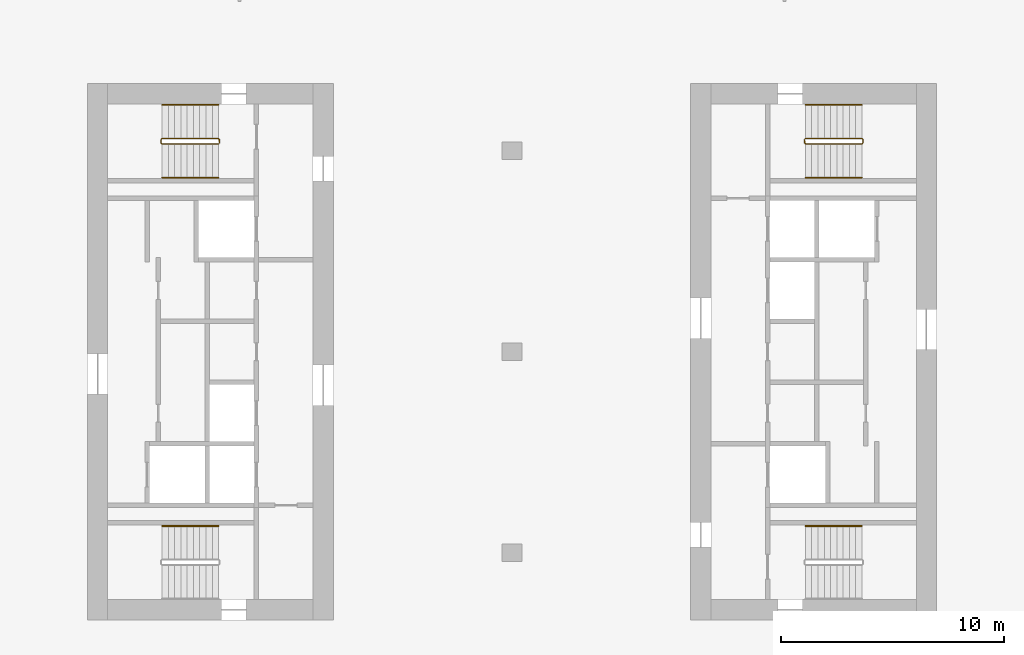
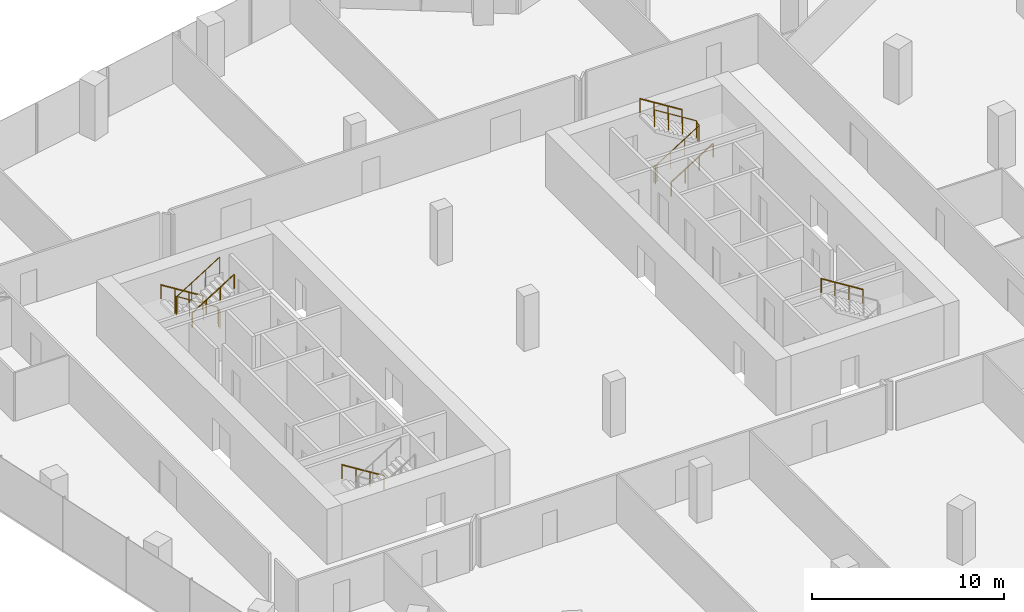
# One storey, part 24 of 24: 8 railings.
"""IFC4 building model written with IfcOpenShell, lengths in metres."""

from ifc_helpers import new_model, si_unit, direction, frame, origin, origin_2d, place, context, subcontext, project, spatial, circle, extrude, material, type_object, element, save


model = new_model("IFC4")

# Units and contexts
model_context = context("Model", 3, precision=1e-05, world=origin(), true_north=direction((0.0, 1.0)))
body_context = subcontext(model_context, "Body", "Model", "MODEL_VIEW")
ifc_project = project(units=[si_unit("LENGTHUNIT", "METRE"), si_unit("AREAUNIT", "SQUARE_METRE"), si_unit("VOLUMEUNIT", "CUBIC_METRE"), si_unit("PLANEANGLEUNIT", "RADIAN"), si_unit("MASSUNIT", "GRAM", prefix="KILO")], contexts=[model_context])

# Site, building, storey
site_placement = place(None, origin())
site = spatial("IfcSite", under=ifc_project, at=site_placement, CompositionType="ELEMENT")
building_placement = place(site_placement, origin())
building = spatial("IfcBuilding", under=site, at=building_placement, Name="Orlundy Tower", CompositionType="ELEMENT")
storey_placement = place(building_placement, frame((0.0, 0.0, 239.0)))
storey = spatial("IfcBuildingStorey", under=building, at=storey_placement, Name="L63", CompositionType="ELEMENT", Elevation=239.0)

# Railings
ifc_material_1 = material(Name="Steel balustrade", Category="steel")
railing_type_1 = type_object("IfcRailingType", Name="Stair Guard 1100", PredefinedType="GUARDRAIL", material=ifc_material_1)
railing_1_placement = place(storey_placement, frame((-13.090087890625, 9.5, 0.0)))
element("IfcRailing", 1, at=railing_1_placement, inside=storey, type_object=railing_type_1, Name="L63 ST-W1 stair guard 1", PredefinedType="GUARDRAIL", context=body_context, shape_type="SweptSolid", body=[
    extrude(circle(Radius=0.02392578125, at=origin_2d()), frame((0.0, 0.0, 1.076171875), z_axis=(0.0, -1.0, 0.0), x_axis=(1.0, 0.0, 0.0)), (0.0, 0.0, 1.0), 0.14990234375),
    extrude(circle(Radius=0.02392578125, at=origin_2d()), frame((0.0, -0.14990234375, 1.076171875), z_axis=(-0.18420542264, 0.739530593833, 0.647427882513), x_axis=(-0.970351222016, -0.241699205484, 0.0)), (0.0, 0.0, 1.0), 0.270263671875),
    extrude(circle(Radius=0.02392578125, at=origin_2d()), frame((-0.0498046875, 0.050048828125, 1.2509765625), z_axis=(-0.848007534815, 0.0, 0.529984170421), x_axis=(0.0, -1.0, 0.0)), (0.0, 0.0, 1.0), 2.9716796875),
    extrude(circle(Radius=0.02392578125, at=origin_2d()), frame((-2.56982421875, 0.050048828125, 2.826171875), z_axis=(-0.707106781187, -0.707106781187, 0.0), x_axis=(0.707106781187, -0.707106781187, 0.0)), (0.0, 0.0, 1.0), 0.07080078125),
    extrude(circle(Radius=0.02392578125, at=origin_2d()), frame((-2.619873046875, 0.0, 2.826171875), z_axis=(0.0, -1.0, 0.0), x_axis=(1.0, 0.0, 0.0)), (0.0, 0.0, 1.0), 0.14990234375),
    extrude(circle(Radius=0.02392578125, at=origin_2d()), frame((-2.619873046875, -0.14990234375, 2.826171875), z_axis=(0.265065253269, -0.265065253269, 0.927081885822), x_axis=(0.707106781187, 0.707106781187, 0.0)), (0.0, 0.0, 1.0), 0.188720703125),
    extrude(circle(Radius=0.02392578125, at=origin_2d()), frame((-2.56982421875, -0.199951171875, 3.0009765625), z_axis=(0.848007534815, 0.0, 0.529984170421), x_axis=(0.0, 1.0, 0.0)), (0.0, 0.0, 1.0), 2.9716796875),
    extrude(circle(Radius=0.02099609375, at=origin_2d()), origin(), (0.0, 0.0, 1.0), 1.052001953125),
    extrude(circle(Radius=0.02099609375, at=origin_2d()), frame((0.0, -0.14990234375, 0.0)), (0.0, 0.0, 1.0), 1.052001953125),
    extrude(circle(Radius=0.02099609375, at=origin_2d()), frame((-0.0498046875, 0.050048828125, 0.175048828125)), (0.0, 0.0, 1.0), 1.052001953125),
    extrude(circle(Radius=0.02099609375, at=origin_2d()), frame((-0.889892578125, 0.050048828125, 0.699951171875)), (0.0, 0.0, 1.0), 1.052001953125),
    extrude(circle(Radius=0.02099609375, at=origin_2d()), frame((-1.729736328125, 0.050048828125, 1.22509765625)), (0.0, 0.0, 1.0), 1.052001953125),
    extrude(circle(Radius=0.02099609375, at=origin_2d()), frame((-2.56982421875, 0.050048828125, 1.75)), (0.0, 0.0, 1.0), 1.052001953125),
    extrude(circle(Radius=0.02099609375, at=origin_2d()), frame((-2.619873046875, 0.0, 1.75)), (0.0, 0.0, 1.0), 1.052001953125),
    extrude(circle(Radius=0.02099609375, at=origin_2d()), frame((-2.619873046875, -0.14990234375, 1.75)), (0.0, 0.0, 1.0), 1.052001953125),
    extrude(circle(Radius=0.02099609375, at=origin_2d()), frame((-2.56982421875, -0.199951171875, 1.925048828125)), (0.0, 0.0, 1.0), 1.052001953125),
    extrude(circle(Radius=0.02099609375, at=origin_2d()), frame((-1.729736328125, -0.199951171875, 2.449951171875)), (0.0, 0.0, 1.0), 1.052001953125),
    extrude(circle(Radius=0.02099609375, at=origin_2d()), frame((-0.889892578125, -0.199951171875, 2.97509765625)), (0.0, 0.0, 1.0), 1.052001953125),
    extrude(circle(Radius=0.02099609375, at=origin_2d()), frame((-0.0498046875, -0.199951171875, 3.5)), (0.0, 0.0, 1.0), 1.052001953125),
])
railing_2_placement = place(storey_placement, frame((13.090087890625, 9.35009765625, 0.0)))
element("IfcRailing", 2, at=railing_2_placement, inside=storey, type_object=railing_type_1, Name="L63 ST-E2 stair guard 1", PredefinedType="GUARDRAIL", context=body_context, shape_type="SweptSolid", body=[
    extrude(circle(Radius=0.02392578125, at=origin_2d()), frame((0.0, 0.0, 1.076171875), z_axis=(0.0, 1.0, 0.0), x_axis=(-1.0, 0.0, 0.0)), (0.0, 0.0, 1.0), 0.14990234375),
    extrude(circle(Radius=0.02392578125, at=origin_2d()), frame((0.0, 0.14990234375, 1.076171875), z_axis=(0.18420542264, -0.739530593833, 0.647427882513), x_axis=(0.970351222016, 0.241699205484, 0.0)), (0.0, 0.0, 1.0), 0.270263671875),
    extrude(circle(Radius=0.02392578125, at=origin_2d()), frame((0.0498046875, -0.050048828125, 1.2509765625), z_axis=(0.848007534815, 0.0, 0.529984170421), x_axis=(0.0, 1.0, 0.0)), (0.0, 0.0, 1.0), 2.9716796875),
    extrude(circle(Radius=0.02392578125, at=origin_2d()), frame((2.56982421875, -0.050048828125, 2.826171875), z_axis=(0.707106781187, 0.707106781187, 0.0), x_axis=(-0.707106781187, 0.707106781187, 0.0)), (0.0, 0.0, 1.0), 0.07080078125),
    extrude(circle(Radius=0.02392578125, at=origin_2d()), frame((2.619873046875, 0.0, 2.826171875), z_axis=(0.0, 1.0, 0.0), x_axis=(-1.0, 0.0, 0.0)), (0.0, 0.0, 1.0), 0.14990234375),
    extrude(circle(Radius=0.02392578125, at=origin_2d()), frame((2.619873046875, 0.14990234375, 2.826171875), z_axis=(-0.265065253269, 0.265065253269, 0.927081885822), x_axis=(-0.707106781187, -0.707106781187, 0.0)), (0.0, 0.0, 1.0), 0.188720703125),
    extrude(circle(Radius=0.02392578125, at=origin_2d()), frame((2.56982421875, 0.199951171875, 3.0009765625), z_axis=(-0.848007534815, 0.0, 0.529984170421), x_axis=(0.0, -1.0, 0.0)), (0.0, 0.0, 1.0), 2.9716796875),
    extrude(circle(Radius=0.02099609375, at=origin_2d()), origin(), (0.0, 0.0, 1.0), 1.052001953125),
    extrude(circle(Radius=0.02099609375, at=origin_2d()), frame((0.0, 0.14990234375, 0.0)), (0.0, 0.0, 1.0), 1.052001953125),
    extrude(circle(Radius=0.02099609375, at=origin_2d()), frame((0.0498046875, -0.050048828125, 0.175048828125)), (0.0, 0.0, 1.0), 1.052001953125),
    extrude(circle(Radius=0.02099609375, at=origin_2d()), frame((0.889892578125, -0.050048828125, 0.699951171875)), (0.0, 0.0, 1.0), 1.052001953125),
    extrude(circle(Radius=0.02099609375, at=origin_2d()), frame((1.729736328125, -0.050048828125, 1.22509765625)), (0.0, 0.0, 1.0), 1.052001953125),
    extrude(circle(Radius=0.02099609375, at=origin_2d()), frame((2.56982421875, -0.050048828125, 1.75)), (0.0, 0.0, 1.0), 1.052001953125),
    extrude(circle(Radius=0.02099609375, at=origin_2d()), frame((2.619873046875, 0.0, 1.75)), (0.0, 0.0, 1.0), 1.052001953125),
    extrude(circle(Radius=0.02099609375, at=origin_2d()), frame((2.619873046875, 0.14990234375, 1.75)), (0.0, 0.0, 1.0), 1.052001953125),
    extrude(circle(Radius=0.02099609375, at=origin_2d()), frame((2.56982421875, 0.199951171875, 1.925048828125)), (0.0, 0.0, 1.0), 1.052001953125),
    extrude(circle(Radius=0.02099609375, at=origin_2d()), frame((1.729736328125, 0.199951171875, 2.449951171875)), (0.0, 0.0, 1.0), 1.052001953125),
    extrude(circle(Radius=0.02099609375, at=origin_2d()), frame((0.889892578125, 0.199951171875, 2.97509765625)), (0.0, 0.0, 1.0), 1.052001953125),
    extrude(circle(Radius=0.02099609375, at=origin_2d()), frame((0.0498046875, 0.199951171875, 3.5)), (0.0, 0.0, 1.0), 1.052001953125),
])
ifc_material_2 = material(Name="Steel handrail", Category="steel")
railing_type_2 = type_object("IfcRailingType", Name="Stair Handrail 900", PredefinedType="HANDRAIL", material=ifc_material_2)
railing_3_placement = place(storey_placement, frame((-13.139892578125, 11.050048828125, 0.175048828125)))
element("IfcRailing", 3, at=railing_3_placement, inside=storey, type_object=railing_type_2, Name="L63 ST-W1 stair handrail 1", PredefinedType="HANDRAIL", context=body_context, shape_type="SweptSolid", body=[
    extrude(circle(Radius=0.02392578125, at=origin_2d()), frame((0.0, 0.0, 0.8759765625), z_axis=(-0.848007534815, 0.0, 0.529984170421), x_axis=(0.0, -1.0, 0.0)), (0.0, 0.0, 1.0), 2.9716796875),
    extrude(circle(Radius=0.02099609375, at=origin_2d()), origin(), (0.0, 0.0, 1.0), 0.851806640625),
    extrude(circle(Radius=0.02099609375, at=origin_2d()), frame((-0.840087890625, 0.0, 0.52490234375)), (0.0, 0.0, 1.0), 0.851806640625),
    extrude(circle(Radius=0.02099609375, at=origin_2d()), frame((-1.679931640625, 0.0, 1.050048828125)), (0.0, 0.0, 1.0), 0.851806640625),
    extrude(circle(Radius=0.02099609375, at=origin_2d()), frame((-2.52001953125, 0.0, 1.574951171875)), (0.0, 0.0, 1.0), 0.851806640625),
])
railing_4_placement = place(storey_placement, frame((-15.659912109375, 7.800048828125, 1.925048828125)))
element("IfcRailing", 4, at=railing_4_placement, inside=storey, type_object=railing_type_2, Name="L63 ST-W1 stair handrail 2", PredefinedType="HANDRAIL", context=body_context, shape_type="SweptSolid", body=[
    extrude(circle(Radius=0.02392578125, at=origin_2d()), frame((0.0, 0.0, 0.8759765625), z_axis=(0.848007534815, 0.0, 0.529984170421), x_axis=(0.0, 1.0, 0.0)), (0.0, 0.0, 1.0), 2.9716796875),
    extrude(circle(Radius=0.02099609375, at=origin_2d()), origin(), (0.0, 0.0, 1.0), 0.851806640625),
    extrude(circle(Radius=0.02099609375, at=origin_2d()), frame((0.840087890625, 0.0, 0.52490234375)), (0.0, 0.0, 1.0), 0.851806640625),
    extrude(circle(Radius=0.02099609375, at=origin_2d()), frame((1.679931640625, 0.0, 1.050048828125)), (0.0, 0.0, 1.0), 0.851806640625),
    extrude(circle(Radius=0.02099609375, at=origin_2d()), frame((2.52001953125, 0.0, 1.574951171875)), (0.0, 0.0, 1.0), 0.851806640625),
])
for number, where, name in (
    (5, (-13.139892578125, -7.800048828125, 0.175048828125), "L63 ST-W2 stair handrail 1"),
    (6, (15.659912109375, -7.800048828125, 1.925048828125), "L63 ST-E1 stair handrail 2"),
):
    element("IfcRailing", number, at=place(storey_placement, frame(where)), inside=storey, type_object=railing_type_2, Name=name, PredefinedType="HANDRAIL", context=body_context, shape_type="SweptSolid", body=[
        extrude(circle(Radius=0.02392578125, at=origin_2d()), frame((0.0, 0.0, 0.8759765625), z_axis=(-0.848007534815, 0.0, 0.529984170421), x_axis=(0.0, -1.0, 0.0)), (0.0, 0.0, 1.0), 2.9716796875),
        extrude(circle(Radius=0.02099609375, at=origin_2d()), origin(), (0.0, 0.0, 1.0), 0.851806640625),
        extrude(circle(Radius=0.02099609375, at=origin_2d()), frame((-0.840087890625, 0.0, 0.52490234375)), (0.0, 0.0, 1.0), 0.851806640625),
        extrude(circle(Radius=0.02099609375, at=origin_2d()), frame((-1.679931640625, 0.0, 1.050048828125)), (0.0, 0.0, 1.0), 0.851806640625),
        extrude(circle(Radius=0.02099609375, at=origin_2d()), frame((-2.52001953125, 0.0, 1.574951171875)), (0.0, 0.0, 1.0), 0.851806640625),
    ])
railing_5_placement = place(storey_placement, frame((13.139892578125, 7.800048828125, 0.175048828125)))
element("IfcRailing", 7, at=railing_5_placement, inside=storey, type_object=railing_type_2, Name="L63 ST-E2 stair handrail 1", PredefinedType="HANDRAIL", context=body_context, shape_type="SweptSolid", body=[
    extrude(circle(Radius=0.02392578125, at=origin_2d()), frame((0.0, 0.0, 0.8759765625), z_axis=(0.848007534815, 0.0, 0.529984170421), x_axis=(0.0, 1.0, 0.0)), (0.0, 0.0, 1.0), 2.9716796875),
    extrude(circle(Radius=0.02099609375, at=origin_2d()), origin(), (0.0, 0.0, 1.0), 0.851806640625),
    extrude(circle(Radius=0.02099609375, at=origin_2d()), frame((0.840087890625, 0.0, 0.52490234375)), (0.0, 0.0, 1.0), 0.851806640625),
    extrude(circle(Radius=0.02099609375, at=origin_2d()), frame((1.679931640625, 0.0, 1.050048828125)), (0.0, 0.0, 1.0), 0.851806640625),
    extrude(circle(Radius=0.02099609375, at=origin_2d()), frame((2.52001953125, 0.0, 1.574951171875)), (0.0, 0.0, 1.0), 0.851806640625),
])
railing_6_placement = place(storey_placement, frame((15.659912109375, 11.050048828125, 1.925048828125)))
element("IfcRailing", 8, at=railing_6_placement, inside=storey, type_object=railing_type_2, Name="L63 ST-E2 stair handrail 2", PredefinedType="HANDRAIL", context=body_context, shape_type="SweptSolid", body=[
    extrude(circle(Radius=0.02392578125, at=origin_2d()), frame((0.0, 0.0, 0.8759765625), z_axis=(-0.848007534815, 0.0, 0.529984170421), x_axis=(0.0, -1.0, 0.0)), (0.0, 0.0, 1.0), 2.9716796875),
    extrude(circle(Radius=0.02099609375, at=origin_2d()), origin(), (0.0, 0.0, 1.0), 0.851806640625),
    extrude(circle(Radius=0.02099609375, at=origin_2d()), frame((-0.840087890625, 0.0, 0.52490234375)), (0.0, 0.0, 1.0), 0.851806640625),
    extrude(circle(Radius=0.02099609375, at=origin_2d()), frame((-1.679931640625, 0.0, 1.050048828125)), (0.0, 0.0, 1.0), 0.851806640625),
    extrude(circle(Radius=0.02099609375, at=origin_2d()), frame((-2.52001953125, 0.0, 1.574951171875)), (0.0, 0.0, 1.0), 0.851806640625),
])

save(model, "model.ifc")
